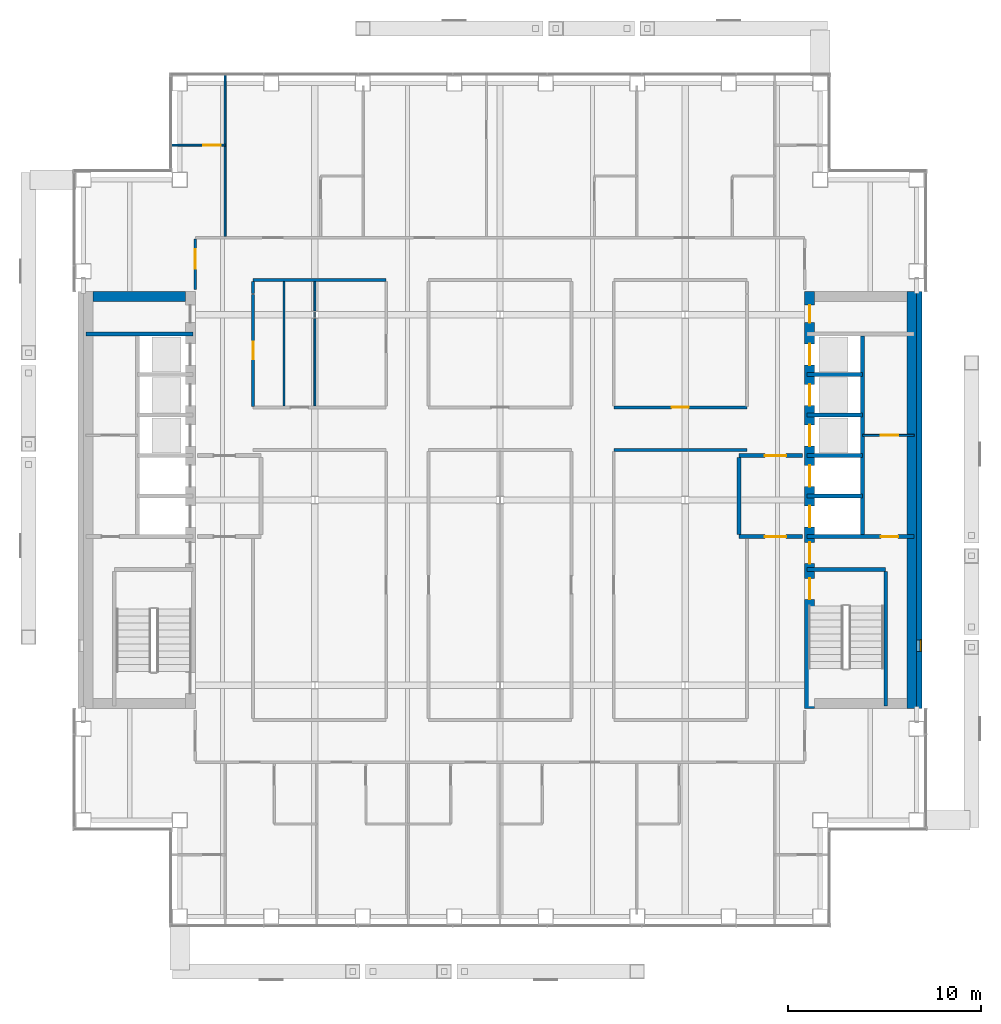
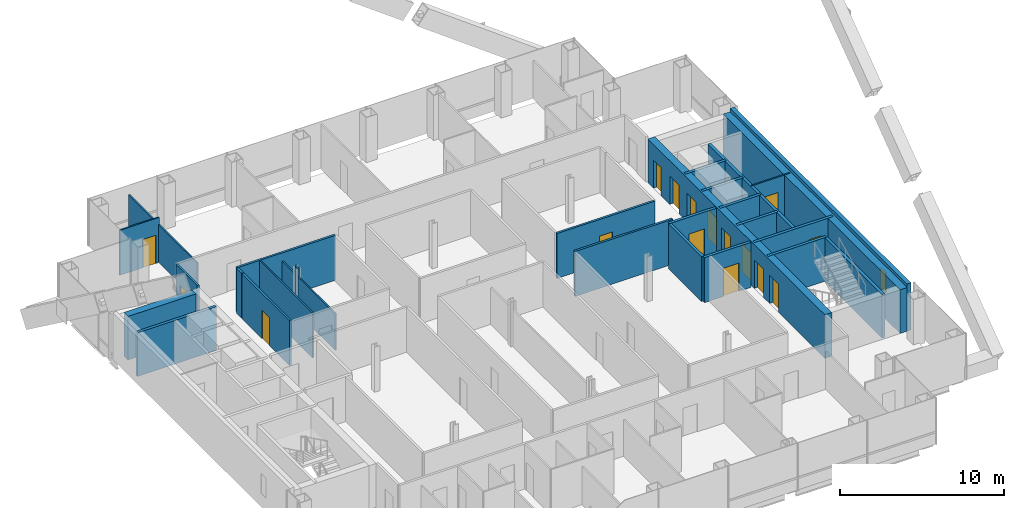
# One storey, part 14 of 17: 29 walls, 16 doors, 1 window, 17 openings.
"""IFC4 building model written with IfcOpenShell, lengths in metres."""

from ifc_helpers import new_model, si_unit, direction, frame, frame_2d, origin, place, context, subcontext, project, spatial, rectangle, extrude, material, layer, layer_set, type_object, element, fill, save


model = new_model("IFC4")

# Units and contexts
model_context = context("Model", 3, precision=1e-05, world=origin(), true_north=direction((0.0, 1.0)))
body_context = subcontext(model_context, "Body", "Model", "MODEL_VIEW")
ifc_project = project(units=[si_unit("LENGTHUNIT", "METRE"), si_unit("AREAUNIT", "SQUARE_METRE"), si_unit("VOLUMEUNIT", "CUBIC_METRE"), si_unit("PLANEANGLEUNIT", "RADIAN"), si_unit("MASSUNIT", "GRAM", prefix="KILO")], contexts=[model_context])

# Site, building, storey
site_placement = place(None, origin())
site = spatial("IfcSite", under=ifc_project, at=site_placement, CompositionType="ELEMENT")
building_placement = place(site_placement, origin())
building = spatial("IfcBuilding", under=site, at=building_placement, Name="Cobrizo Arcos Hotel Tower", CompositionType="ELEMENT")
storey_placement = place(building_placement, frame((0.0, 0.0, 151.5)))
storey = spatial("IfcBuildingStorey", under=building, at=storey_placement, Name="L38", CompositionType="ELEMENT", Elevation=151.5)

# Wall
ifc_material_1 = material(Name="Gypsum board partition")
ifc_layer_1 = layer(ifc_material_1, 0.14990234375)
ifc_layer_set_1 = layer_set([ifc_layer_1], Name="Corridor wall EI 60 150")
wall_type_1 = type_object("IfcWallType", Name="Corridor wall EI 60 150", PredefinedType="PARTITIONING", material=ifc_layer_set_1)
wall_1_placement = place(storey_placement, frame((5.89990234375, 2.60009765625, 0.0), z_axis=(0.0, 0.0, 1.0), x_axis=(1.0, 0.0, 0.0)))
element("IfcWall", 1, at=wall_1_placement, inside=storey, type_object=wall_type_1, Name="Partition 025", PredefinedType="PARTITIONING", context=body_context, shape_type="SweptSolid", body=[
    extrude(rectangle(XDim=6.900146484375, YDim=0.14990234375, at=frame_2d((3.4501953125, 0.0))), origin(), (0.0, 0.0, 1.0), 3.35009765625),
])

# Wall, opening, door
wall_2_placement = place(storey_placement, frame((5.89990234375, 4.800048828125, 0.0), z_axis=(0.0, 0.0, 1.0), x_axis=(1.0, 0.0, 0.0)))
wall_2 = element("IfcWall", 2, at=wall_2_placement, inside=storey, type_object=wall_type_1, Name="Partition 032", PredefinedType="PARTITIONING", context=body_context, shape_type="SweptSolid", body=[
    extrude(rectangle(XDim=6.900146484375, YDim=0.14990234375, at=frame_2d((3.4501953125, 0.0))), origin(), (0.0, 0.0, 1.0), 3.35009765625),
])
opening_1_placement = place(wall_2_placement, frame((3.0, 0.0, 0.0)))
opening_1 = element("IfcOpeningElement", 3, at=opening_1_placement, cuts=wall_2, Name="Opening RD-09", PredefinedType="OPENING", context=body_context, shape_type="SweptSolid", body=[
    extrude(rectangle(XDim=0.89990234375, YDim=2.10009765625, at=frame_2d((0.449951171875, 1.050048828125))), frame((0.0, 0.0869140625, 0.0), z_axis=(0.0, -1.0, 0.0), x_axis=(1.0, 0.0, 0.0)), (0.0, 0.0, 1.0), 0.173828125),
])
ifc_material_2 = material(Name="Timber door leaf", Category="wood")
door_type_1 = type_object("IfcDoorType", Name="Room door FD30 900x2100", OperationType="SINGLE_SWING_LEFT", PredefinedType="DOOR", material=ifc_material_2)
door_1_placement = place(opening_1_placement, origin())
door_1 = element("IfcDoor", 4, at=door_1_placement, inside=storey, type_object=door_type_1, Name="Door RD-09", OperationType="SINGLE_SWING_LEFT", OverallHeight=2.10009765625, OverallWidth=0.89990234375, PredefinedType="DOOR", context=body_context, shape_type="SweptSolid", body=[
    extrude(rectangle(XDim=0.89990234375, YDim=2.10009765625, at=frame_2d((0.449951171875, 1.050048828125))), frame((0.0, 0.02490234375, 0.0), z_axis=(0.0, -1.0, 0.0), x_axis=(1.0, 0.0, 0.0)), (0.0, 0.0, 1.0), 0.050048828125),
])
fill(opening_1, door_1)

# Wall
wall_3_placement = place(storey_placement, frame((-12.800048828125, 11.39990234375, 0.0), z_axis=(0.0, 0.0, 1.0), x_axis=(1.0, 0.0, 0.0)))
element("IfcWall", 5, at=wall_3_placement, inside=storey, type_object=wall_type_1, Name="Partition 037", PredefinedType="PARTITIONING", context=body_context, shape_type="SweptSolid", body=[
    extrude(rectangle(XDim=6.900146484375, YDim=0.14990234375, at=frame_2d((3.4501953125, 0.0))), origin(), (0.0, 0.0, 1.0), 3.35009765625),
])

# Wall, opening, door
wall_4_placement = place(storey_placement, frame((-15.800048828125, 10.919921875, 0.0), z_axis=(0.0, 0.0, 1.0), x_axis=(0.0, 1.0, 0.0)))
wall_4 = element("IfcWall", 6, at=wall_4_placement, inside=storey, type_object=wall_type_1, Name="Partition 050", PredefinedType="PARTITIONING", context=body_context, shape_type="SweptSolid", body=[
    extrude(rectangle(XDim=2.60498046875, YDim=0.14990234375, at=frame_2d((1.302490234375, 0.0))), origin(), (0.0, 0.0, 1.0), 3.35009765625),
])
opening_2_placement = place(wall_4_placement, frame((1.080078125, 0.0, 0.0)))
opening_2 = element("IfcOpeningElement", 7, at=opening_2_placement, cuts=wall_4, Name="Opening GD-10", PredefinedType="OPENING", context=body_context, shape_type="SweptSolid", body=[
    extrude(rectangle(XDim=1.0, YDim=2.10009765625, at=frame_2d((0.5, 1.050048828125))), frame((0.0, 0.0869140625, 0.0), z_axis=(0.0, -1.0, 0.0), x_axis=(1.0, 0.0, 0.0)), (0.0, 0.0, 1.0), 0.173828125),
])
door_type_2 = type_object("IfcDoorType", Name="Guest room door FD30S 1000x2100", OperationType="SINGLE_SWING_LEFT", PredefinedType="DOOR", material=ifc_material_2)
door_2_placement = place(opening_2_placement, origin())
door_2 = element("IfcDoor", 8, at=door_2_placement, inside=storey, type_object=door_type_2, Name="Door GD-10", OperationType="SINGLE_SWING_RIGHT", OverallHeight=2.10009765625, OverallWidth=1.0, PredefinedType="DOOR", context=body_context, shape_type="SweptSolid", body=[
    extrude(rectangle(XDim=1.0, YDim=2.10009765625, at=frame_2d((0.5, 1.050048828125))), frame((0.0, 0.02490234375, 0.0), z_axis=(0.0, -1.0, 0.0), x_axis=(1.0, 0.0, 0.0)), (0.0, 0.0, 1.0), 0.050048828125),
])
fill(opening_2, door_2)

wall_5_placement = place(storey_placement, frame((-12.800048828125, 4.85009765625, 0.0), z_axis=(0.0, 0.0, 1.0), x_axis=(0.0, 1.0, 0.0)))
wall_5 = element("IfcWall", 9, at=wall_5_placement, inside=storey, type_object=wall_type_1, Name="Partition 054", PredefinedType="PARTITIONING", context=body_context, shape_type="SweptSolid", body=[
    extrude(rectangle(XDim=5.7998046875, YDim=0.14990234375, at=frame_2d((2.89990234375, 0.0))), origin(), (0.0, 0.0, 1.0), 3.35009765625),
])
opening_3_placement = place(wall_5_placement, frame((2.449951171875, 0.0, 0.0)))
opening_3 = element("IfcOpeningElement", 10, at=opening_3_placement, cuts=wall_5, Name="Opening ED-13", PredefinedType="OPENING", context=body_context, shape_type="SweptSolid", body=[
    extrude(rectangle(XDim=0.89990234375, YDim=2.10009765625, at=frame_2d((0.449951171875, 1.050048828125))), frame((0.0, 0.0869140625, 0.0), z_axis=(0.0, -1.0, 0.0), x_axis=(1.0, 0.0, 0.0)), (0.0, 0.0, 1.0), 0.173828125),
])
door_type_3 = type_object("IfcDoorType", Name="En-suite door 900x2100", OperationType="SINGLE_SWING_LEFT", PredefinedType="DOOR", material=ifc_material_2)
door_3_placement = place(opening_3_placement, origin())
door_3 = element("IfcDoor", 11, at=door_3_placement, inside=storey, type_object=door_type_3, Name="Door ED-13", OperationType="SINGLE_SWING_LEFT", OverallHeight=2.10009765625, OverallWidth=0.89990234375, PredefinedType="DOOR", context=body_context, shape_type="SweptSolid", body=[
    extrude(rectangle(XDim=0.89990234375, YDim=2.10009765625, at=frame_2d((0.449951171875, 1.050048828125))), frame((0.0, 0.02490234375, 0.0), z_axis=(0.0, -1.0, 0.0), x_axis=(1.0, 0.0, 0.0)), (0.0, 0.0, 1.0), 0.050048828125),
])
fill(opening_3, door_3)

# Wall
wall_6_placement = place(storey_placement, frame((-12.800048828125, 10.699951171875, 0.0), z_axis=(0.0, 0.0, 1.0), x_axis=(0.0, 1.0, 0.0)))
element("IfcWall", 12, at=wall_6_placement, inside=storey, type_object=wall_type_1, Name="Partition 055", PredefinedType="PARTITIONING", context=body_context, shape_type="SweptSolid", body=[
    extrude(rectangle(XDim=0.625, YDim=0.14990234375, at=frame_2d((0.3125, 0.0))), origin(), (0.0, 0.0, 1.0), 3.35009765625),
])

# Wall, opening, window
ifc_material_3 = material(Name="Aluminium composite panel pale metal", Category="aluminium")
ifc_layer_2 = layer(ifc_material_3, 0.27490234375)
ifc_layer_set_2 = layer_set([ifc_layer_2], Name="EW-1 insulated panel wall 275")
wall_type_2 = type_object("IfcWallType", Name="EW-1 insulated panel wall 275", PredefinedType="SOLIDWALL", material=ifc_layer_set_2)
wall_7_placement = place(storey_placement, frame((21.737548828125, -10.800048828125, 0.0), z_axis=(0.0, 0.0, 1.0), x_axis=(0.0, 1.0, 0.0)))
wall_7 = element("IfcWall", 13, at=wall_7_placement, inside=storey, type_object=wall_type_2, Name="Core face wall L38 E", PredefinedType="SOLIDWALL", context=body_context, shape_type="SweptSolid", body=[
    extrude(rectangle(XDim=21.60009765625, YDim=0.27490234375, at=frame_2d((10.800048828125, 0.0))), origin(), (0.0, 0.0, 1.0), 3.5),
])
opening_4_placement = place(wall_7_placement, frame((2.949951171875, 0.0, 1.0)))
opening_4 = element("IfcOpeningElement", 14, at=opening_4_placement, cuts=wall_7, Name="Opening W-83", PredefinedType="OPENING", context=body_context, shape_type="SweptSolid", body=[
    extrude(rectangle(XDim=0.60009765625, YDim=1.5, at=frame_2d((0.300048828125, 0.75))), frame((0.0, 0.1494140625, 0.0), z_axis=(0.0, -1.0, 0.0), x_axis=(1.0, 0.0, 0.0)), (0.0, 0.0, 1.0), 0.298828125),
])
ifc_material_4 = material(Name="Aluminium 6063-T6 and clear laminated glass", Category="aluminium")
window_type = type_object("IfcWindowType", Name="W-C1 core stair slot window 600x1500", PartitioningType="SINGLE_PANEL", PredefinedType="WINDOW", material=ifc_material_4)
window_placement = place(opening_4_placement, origin())
window = element("IfcWindow", 15, at=window_placement, inside=storey, type_object=window_type, Name="Core face wall L38 E window W-83", OverallHeight=1.5, OverallWidth=0.60009765625, PartitioningType="SINGLE_PANEL", PredefinedType="WINDOW", context=body_context, shape_type="SweptSolid", body=[
    extrude(rectangle(XDim=0.60009765625, YDim=1.5, at=frame_2d((0.300048828125, 0.75))), frame((0.0, -0.04736328125, 0.0), z_axis=(0.0, -1.0, 0.0), x_axis=(1.0, 0.0, 0.0)), (0.0, 0.0, 1.0), 0.06005859375),
])
fill(opening_4, window)

# Wall, opening, door
ifc_layer_3 = layer(ifc_material_1, 0.10009765625)
ifc_layer_set_3 = layer_set([ifc_layer_3], Name="Partition EI 30 100")
wall_type_3 = type_object("IfcWallType", Name="Partition EI 30 100", PredefinedType="PARTITIONING", material=ifc_layer_set_3)
wall_8_placement = place(storey_placement, frame((18.800048828125, 3.35009765625, 0.0), z_axis=(0.0, 0.0, 1.0), x_axis=(1.0, 0.0, 0.0)))
wall_8 = element("IfcWall", 16, at=wall_8_placement, inside=storey, type_object=wall_type_3, Name="Partition 027", PredefinedType="PARTITIONING", context=body_context, shape_type="SweptSolid", body=[
    extrude(rectangle(XDim=2.679931640625, YDim=0.10009765625, at=frame_2d((1.33984375, 0.0))), origin(), (0.0, 0.0, 1.0), 3.25),
])
opening_5_placement = place(wall_8_placement, frame((0.949951171875, 0.0, 0.0)))
opening_5 = element("IfcOpeningElement", 17, at=opening_5_placement, cuts=wall_8, Name="Opening RD-06", PredefinedType="OPENING", context=body_context, shape_type="SweptSolid", body=[
    extrude(rectangle(XDim=0.89990234375, YDim=2.10009765625, at=frame_2d((0.449951171875, 1.050048828125))), frame((0.0, 0.06201171875, 0.0), z_axis=(0.0, -1.0, 0.0), x_axis=(1.0, 0.0, 0.0)), (0.0, 0.0, 1.0), 0.1240234375),
])
door_4_placement = place(opening_5_placement, origin())
door_4 = element("IfcDoor", 18, at=door_4_placement, inside=storey, type_object=door_type_1, Name="Door RD-06", OperationType="SINGLE_SWING_RIGHT", OverallHeight=2.10009765625, OverallWidth=0.89990234375, PredefinedType="DOOR", context=body_context, shape_type="SweptSolid", body=[
    extrude(rectangle(XDim=0.89990234375, YDim=2.10009765625, at=frame_2d((0.449951171875, 1.050048828125))), frame((0.0, 0.02490234375, 0.0), z_axis=(0.0, -1.0, 0.0), x_axis=(1.0, 0.0, 0.0)), (0.0, 0.0, 1.0), 0.050048828125),
])
fill(opening_5, door_4)

wall_9_placement = place(storey_placement, frame((-17.030029296875, 18.39990234375, 0.0), z_axis=(0.0, 0.0, 1.0), x_axis=(1.0, 0.0, 0.0)))
wall_9 = element("IfcWall", 19, at=wall_9_placement, inside=storey, type_object=wall_type_3, Name="Partition 044", PredefinedType="PARTITIONING", context=body_context, shape_type="SweptSolid", body=[
    extrude(rectangle(XDim=2.780029296875, YDim=0.10009765625, at=frame_2d((1.39013671875, 0.0))), origin(), (0.0, 0.0, 1.0), 3.35009765625),
])
opening_6_placement = place(wall_9_placement, frame((1.639892578125, 0.0, 0.0)))
opening_6 = element("IfcOpeningElement", 20, at=opening_6_placement, cuts=wall_9, Name="Opening ED-10", PredefinedType="OPENING", context=body_context, shape_type="SweptSolid", body=[
    extrude(rectangle(XDim=0.89990234375, YDim=2.10009765625, at=frame_2d((0.449951171875, 1.050048828125))), frame((0.0, 0.06201171875, 0.0), z_axis=(0.0, -1.0, 0.0), x_axis=(1.0, 0.0, 0.0)), (0.0, 0.0, 1.0), 0.1240234375),
])
door_5_placement = place(opening_6_placement, origin())
door_5 = element("IfcDoor", 21, at=door_5_placement, inside=storey, type_object=door_type_3, Name="Door ED-10", OperationType="SINGLE_SWING_RIGHT", OverallHeight=2.10009765625, OverallWidth=0.89990234375, PredefinedType="DOOR", context=body_context, shape_type="SweptSolid", body=[
    extrude(rectangle(XDim=0.89990234375, YDim=2.10009765625, at=frame_2d((0.449951171875, 1.050048828125))), frame((0.0, 0.02490234375, 0.0), z_axis=(0.0, -1.0, 0.0), x_axis=(1.0, 0.0, 0.0)), (0.0, 0.0, 1.0), 0.050048828125),
])
fill(opening_6, door_5)

# Walls
wall_10_placement = place(storey_placement, frame((-14.25, 13.675048828125, 0.0), z_axis=(0.0, 0.0, 1.0), x_axis=(0.0, 1.0, 0.0)))
element("IfcWall", 22, at=wall_10_placement, inside=storey, type_object=wall_type_3, Name="Partition 052", PredefinedType="PARTITIONING", context=body_context, shape_type="SweptSolid", body=[
    extrude(rectangle(XDim=8.35498046875, YDim=0.10009765625, at=frame_2d((4.177490234375, 0.0))), origin(), (0.0, 0.0, 1.0), 2.81689453125),
])
wall_11_placement = place(storey_placement, frame((-11.199951171875, 4.875, 0.0), z_axis=(0.0, 0.0, 1.0), x_axis=(0.0, 1.0, 0.0)))
element("IfcWall", 23, at=wall_11_placement, inside=storey, type_object=wall_type_3, Name="Partition 058", PredefinedType="PARTITIONING", context=body_context, shape_type="SweptSolid", body=[
    extrude(rectangle(XDim=6.449951171875, YDim=0.10009765625, at=frame_2d((3.22509765625, 0.0))), origin(), (0.0, 0.0, 1.0), 3.35009765625),
])
wall_12_placement = place(storey_placement, frame((-9.60009765625, 4.875, 0.0), z_axis=(0.0, 0.0, 1.0), x_axis=(0.0, 1.0, 0.0)))
element("IfcWall", 24, at=wall_12_placement, inside=storey, type_object=wall_type_3, Name="Partition 059", PredefinedType="PARTITIONING", context=body_context, shape_type="SweptSolid", body=[
    extrude(rectangle(XDim=4.5380859375, YDim=0.10009765625, at=frame_2d((2.26904296875, 0.0))), origin(), (0.0, 0.0, 1.0), 2.72802734375),
])
wall_13_placement = place(storey_placement, frame((-9.60009765625, 9.4130859375, 0.0), z_axis=(0.0, 0.0, 1.0), x_axis=(0.0, 1.0, 0.0)))
element("IfcWall", 25, at=wall_13_placement, inside=storey, type_object=wall_type_3, Name="Partition 060", PredefinedType="PARTITIONING", context=body_context, shape_type="SweptSolid", body=[
    extrude(rectangle(XDim=0.3740234375, YDim=0.10009765625, at=frame_2d((0.18701171875, 0.0))), origin(), (0.0, 0.0, 1.0), 3.35009765625),
])
wall_14_placement = place(storey_placement, frame((-9.60009765625, 9.787109375, 0.0), z_axis=(0.0, 0.0, 1.0), x_axis=(0.0, 1.0, 0.0)))
element("IfcWall", 26, at=wall_14_placement, inside=storey, type_object=wall_type_3, Name="Partition 061", PredefinedType="PARTITIONING", context=body_context, shape_type="SweptSolid", body=[
    extrude(rectangle(XDim=1.537841796875, YDim=0.10009765625, at=frame_2d((0.76904296875, 0.0))), origin(), (0.0, 0.0, 1.0), 2.72802734375),
])

# Wall, openings, doors
ifc_material_5 = material(Name="Concrete f'c 50 MPa", Category="concrete")
ifc_layer_4 = layer(ifc_material_5, 0.5)
ifc_layer_set_4 = layer_set([ifc_layer_4], Name="RC core wall 500 f'c 50")
wall_type_4 = type_object("IfcWallType", Name="RC core wall 500 f'c 50", PredefinedType="SHEAR", material=ifc_layer_set_4)
wall_15_placement = place(storey_placement, frame((16.050048828125, -10.800048828125, 0.0), z_axis=(0.0, 0.0, 1.0), x_axis=(0.0, 1.0, 0.0)))
wall_15 = element("IfcWall", 27, at=wall_15_placement, inside=storey, type_object=wall_type_4, Name="Core wall CW3, east core, inner face, L38", PredefinedType="SHEAR", context=body_context, shape_type="SweptSolid", body=[
    extrude(rectangle(XDim=21.60009765625, YDim=0.5, at=frame_2d((10.800048828125, 0.0))), origin(), (0.0, 0.0, 1.0), 3.25),
])
opening_7_placement = place(wall_15_placement, frame((9.39990234375, 0.0, 0.0)))
opening_7 = element("IfcOpeningElement", 28, at=opening_7_placement, cuts=wall_15, Name="Opening LD-06", PredefinedType="OPENING", context=body_context, shape_type="SweptSolid", body=[
    extrude(rectangle(XDim=1.10009765625, YDim=2.10009765625, at=frame_2d((0.550048828125, 1.050048828125))), frame((0.0, 0.261962890625, 0.0), z_axis=(0.0, -1.0, 0.0), x_axis=(1.0, 0.0, 0.0)), (0.0, 0.0, 1.0), 0.52392578125),
])
opening_8_placement = place(wall_15_placement, frame((11.5, 0.0, 0.0)))
opening_8 = element("IfcOpeningElement", 29, at=opening_8_placement, cuts=wall_15, Name="Opening LD-07", PredefinedType="OPENING", context=body_context, shape_type="SweptSolid", body=[
    extrude(rectangle(XDim=1.10009765625, YDim=2.10009765625, at=frame_2d((0.550048828125, 1.050048828125))), frame((0.0, 0.261962890625, 0.0), z_axis=(0.0, -1.0, 0.0), x_axis=(1.0, 0.0, 0.0)), (0.0, 0.0, 1.0), 0.52392578125),
])
opening_9_placement = place(wall_15_placement, frame((13.60009765625, 0.0, 0.0)))
opening_9 = element("IfcOpeningElement", 30, at=opening_9_placement, cuts=wall_15, Name="Opening LD-08", PredefinedType="OPENING", context=body_context, shape_type="SweptSolid", body=[
    extrude(rectangle(XDim=1.10009765625, YDim=2.10009765625, at=frame_2d((0.550048828125, 1.050048828125))), frame((0.0, 0.261962890625, 0.0), z_axis=(0.0, -1.0, 0.0), x_axis=(1.0, 0.0, 0.0)), (0.0, 0.0, 1.0), 0.52392578125),
])
opening_10_placement = place(wall_15_placement, frame((15.699951171875, 0.0, 0.0)))
opening_10 = element("IfcOpeningElement", 31, at=opening_10_placement, cuts=wall_15, Name="Opening LD-09", PredefinedType="OPENING", context=body_context, shape_type="SweptSolid", body=[
    extrude(rectangle(XDim=1.10009765625, YDim=2.10009765625, at=frame_2d((0.550048828125, 1.050048828125))), frame((0.0, 0.261962890625, 0.0), z_axis=(0.0, -1.0, 0.0), x_axis=(1.0, 0.0, 0.0)), (0.0, 0.0, 1.0), 0.52392578125),
])
opening_11_placement = place(wall_15_placement, frame((17.800048828125, 0.0, 0.0)))
opening_11 = element("IfcOpeningElement", 32, at=opening_11_placement, cuts=wall_15, Name="Opening LD-10", PredefinedType="OPENING", context=body_context, shape_type="SweptSolid", body=[
    extrude(rectangle(XDim=1.10009765625, YDim=2.10009765625, at=frame_2d((0.550048828125, 1.050048828125))), frame((0.0, 0.261962890625, 0.0), z_axis=(0.0, -1.0, 0.0), x_axis=(1.0, 0.0, 0.0)), (0.0, 0.0, 1.0), 0.52392578125),
])
opening_12_placement = place(wall_15_placement, frame((5.64208984375, 0.0, 0.0)))
opening_12 = element("IfcOpeningElement", 33, at=opening_12_placement, cuts=wall_15, Name="Opening SD-02", PredefinedType="OPENING", context=body_context, shape_type="SweptSolid", body=[
    extrude(rectangle(XDim=1.10009765625, YDim=2.10009765625, at=frame_2d((0.550048828125, 1.050048828125))), frame((0.0, 0.261962890625, 0.0), z_axis=(0.0, -1.0, 0.0), x_axis=(1.0, 0.0, 0.0)), (0.0, 0.0, 1.0), 0.52392578125),
])
opening_13_placement = place(wall_15_placement, frame((7.5, 0.0, 0.0)))
opening_13 = element("IfcOpeningElement", 34, at=opening_13_placement, cuts=wall_15, Name="Opening FD-04", PredefinedType="OPENING", context=body_context, shape_type="SweptSolid", body=[
    extrude(rectangle(XDim=1.10009765625, YDim=2.10009765625, at=frame_2d((0.550048828125, 1.050048828125))), frame((0.0, 0.261962890625, 0.0), z_axis=(0.0, -1.0, 0.0), x_axis=(1.0, 0.0, 0.0)), (0.0, 0.0, 1.0), 0.52392578125),
])
opening_14_placement = place(wall_15_placement, frame((20.0, 0.0, 0.0)))
opening_14 = element("IfcOpeningElement", 35, at=opening_14_placement, cuts=wall_15, Name="Opening RD-04", PredefinedType="OPENING", context=body_context, shape_type="SweptSolid", body=[
    extrude(rectangle(XDim=0.89990234375, YDim=2.10009765625, at=frame_2d((0.449951171875, 1.050048828125))), frame((0.0, 0.261962890625, 0.0), z_axis=(0.0, -1.0, 0.0), x_axis=(1.0, 0.0, 0.0)), (0.0, 0.0, 1.0), 0.52392578125),
])
ifc_material_6 = material(Name="Steel door leaf", Category="steel")
door_type_4 = type_object("IfcDoorType", Name="Fire door FD60 1100x2100", OperationType="SINGLE_SWING_LEFT", PredefinedType="DOOR", material=ifc_material_6)
door_6_placement = place(opening_13_placement, origin())
door_6 = element("IfcDoor", 36, at=door_6_placement, inside=storey, type_object=door_type_4, Name="Door FD-04", OperationType="SINGLE_SWING_RIGHT", OverallHeight=2.10009765625, OverallWidth=1.10009765625, PredefinedType="DOOR", context=body_context, shape_type="SweptSolid", body=[
    extrude(rectangle(XDim=1.10009765625, YDim=2.10009765625, at=frame_2d((0.550048828125, 1.050048828125))), frame((0.0, 0.02490234375, 0.0), z_axis=(0.0, -1.0, 0.0), x_axis=(1.0, 0.0, 0.0)), (0.0, 0.0, 1.0), 0.050048828125),
])
fill(opening_13, door_6)
door_type_5 = type_object("IfcDoorType", Name="Lift landing door 1100x2100", OperationType="SLIDING_TO_LEFT", PredefinedType="DOOR", material=ifc_material_6)
door_7_placement = place(opening_7_placement, origin())
door_7 = element("IfcDoor", 37, at=door_7_placement, inside=storey, type_object=door_type_5, Name="Lift landing door LD-06", OperationType="SLIDING_TO_LEFT", OverallHeight=2.10009765625, OverallWidth=1.10009765625, PredefinedType="DOOR", context=body_context, shape_type="SweptSolid", body=[
    extrude(rectangle(XDim=1.10009765625, YDim=2.10009765625, at=frame_2d((0.550048828125, 1.050048828125))), frame((0.0, 0.02490234375, 0.0), z_axis=(0.0, -1.0, 0.0), x_axis=(1.0, 0.0, 0.0)), (0.0, 0.0, 1.0), 0.050048828125),
])
fill(opening_7, door_7)
door_8_placement = place(opening_8_placement, origin())
door_8 = element("IfcDoor", 38, at=door_8_placement, inside=storey, type_object=door_type_5, Name="Lift landing door LD-07", OperationType="SLIDING_TO_LEFT", OverallHeight=2.10009765625, OverallWidth=1.10009765625, PredefinedType="DOOR", context=body_context, shape_type="SweptSolid", body=[
    extrude(rectangle(XDim=1.10009765625, YDim=2.10009765625, at=frame_2d((0.550048828125, 1.050048828125))), frame((0.0, 0.02490234375, 0.0), z_axis=(0.0, -1.0, 0.0), x_axis=(1.0, 0.0, 0.0)), (0.0, 0.0, 1.0), 0.050048828125),
])
fill(opening_8, door_8)
door_9_placement = place(opening_9_placement, origin())
door_9 = element("IfcDoor", 39, at=door_9_placement, inside=storey, type_object=door_type_5, Name="Lift landing door LD-08", OperationType="SLIDING_TO_LEFT", OverallHeight=2.10009765625, OverallWidth=1.10009765625, PredefinedType="DOOR", context=body_context, shape_type="SweptSolid", body=[
    extrude(rectangle(XDim=1.10009765625, YDim=2.10009765625, at=frame_2d((0.550048828125, 1.050048828125))), frame((0.0, 0.02490234375, 0.0), z_axis=(0.0, -1.0, 0.0), x_axis=(1.0, 0.0, 0.0)), (0.0, 0.0, 1.0), 0.050048828125),
])
fill(opening_9, door_9)
door_10_placement = place(opening_10_placement, origin())
door_10 = element("IfcDoor", 40, at=door_10_placement, inside=storey, type_object=door_type_5, Name="Lift landing door LD-09", OperationType="SLIDING_TO_LEFT", OverallHeight=2.10009765625, OverallWidth=1.10009765625, PredefinedType="DOOR", context=body_context, shape_type="SweptSolid", body=[
    extrude(rectangle(XDim=1.10009765625, YDim=2.10009765625, at=frame_2d((0.550048828125, 1.050048828125))), frame((0.0, 0.02490234375, 0.0), z_axis=(0.0, -1.0, 0.0), x_axis=(1.0, 0.0, 0.0)), (0.0, 0.0, 1.0), 0.050048828125),
])
fill(opening_10, door_10)
door_11_placement = place(opening_11_placement, origin())
door_11 = element("IfcDoor", 41, at=door_11_placement, inside=storey, type_object=door_type_5, Name="Lift landing door LD-10", OperationType="SLIDING_TO_LEFT", OverallHeight=2.10009765625, OverallWidth=1.10009765625, PredefinedType="DOOR", context=body_context, shape_type="SweptSolid", body=[
    extrude(rectangle(XDim=1.10009765625, YDim=2.10009765625, at=frame_2d((0.550048828125, 1.050048828125))), frame((0.0, 0.02490234375, 0.0), z_axis=(0.0, -1.0, 0.0), x_axis=(1.0, 0.0, 0.0)), (0.0, 0.0, 1.0), 0.050048828125),
])
fill(opening_11, door_11)
door_12_placement = place(opening_14_placement, origin())
door_12 = element("IfcDoor", 42, at=door_12_placement, inside=storey, type_object=door_type_1, Name="Door RD-04", OperationType="SINGLE_SWING_LEFT", OverallHeight=2.10009765625, OverallWidth=0.89990234375, PredefinedType="DOOR", context=body_context, shape_type="SweptSolid", body=[
    extrude(rectangle(XDim=0.89990234375, YDim=2.10009765625, at=frame_2d((0.449951171875, 1.050048828125))), frame((0.0, 0.02490234375, 0.0), z_axis=(0.0, -1.0, 0.0), x_axis=(1.0, 0.0, 0.0)), (0.0, 0.0, 1.0), 0.050048828125),
])
fill(opening_14, door_12)
door_type_6 = type_object("IfcDoorType", Name="Stair door FD60S 1100x2100", OperationType="SINGLE_SWING_LEFT", PredefinedType="DOOR", material=ifc_material_6)
door_13_placement = place(opening_12_placement, origin())
door_13 = element("IfcDoor", 43, at=door_13_placement, inside=storey, type_object=door_type_6, Name="Door SD-02", OperationType="SINGLE_SWING_RIGHT", OverallHeight=2.10009765625, OverallWidth=1.10009765625, PredefinedType="DOOR", context=body_context, shape_type="SweptSolid", body=[
    extrude(rectangle(XDim=1.10009765625, YDim=2.10009765625, at=frame_2d((0.550048828125, 1.050048828125))), frame((0.0, 0.02490234375, 0.0), z_axis=(0.0, -1.0, 0.0), x_axis=(1.0, 0.0, 0.0)), (0.0, 0.0, 1.0), 0.050048828125),
])
fill(opening_12, door_13)

# Walls
wall_16_placement = place(storey_placement, frame((21.35009765625, -10.800048828125, 0.0), z_axis=(0.0, 0.0, 1.0), x_axis=(0.0, 1.0, 0.0)))
element("IfcWall", 44, at=wall_16_placement, inside=storey, type_object=wall_type_4, Name="Core wall CW3, east core, outer face, L38", PredefinedType="SHEAR", context=body_context, shape_type="SweptSolid", body=[
    extrude(rectangle(XDim=21.60009765625, YDim=0.5, at=frame_2d((10.800048828125, 0.0))), origin(), (0.0, 0.0, 1.0), 3.25),
])
wall_17_placement = place(storey_placement, frame((-21.10009765625, 10.550048828125, 0.0), z_axis=(0.0, 0.0, 1.0), x_axis=(1.0, 0.0, 0.0)))
element("IfcWall", 45, at=wall_17_placement, inside=storey, type_object=wall_type_4, Name="Core wall CW3, west core, north end, L38", PredefinedType="SHEAR", context=body_context, shape_type="SweptSolid", body=[
    extrude(rectangle(XDim=4.800048828125, YDim=0.5, at=frame_2d((2.39990234375, 0.0))), origin(), (0.0, 0.0, 1.0), 3.25),
])

# Wall, opening, door
ifc_layer_5 = layer(ifc_material_1, 0.199951171875)
ifc_layer_set_5 = layer_set([ifc_layer_5], Name="Shaft wall EI 120 200")
wall_type_5 = type_object("IfcWallType", Name="Shaft wall EI 120 200", PredefinedType="PARTITIONING", material=ifc_layer_set_5)
wall_18_placement = place(storey_placement, frame((12.39990234375, -1.89990234375, 0.0), z_axis=(0.0, 0.0, 1.0), x_axis=(1.0, 0.0, 0.0)))
wall_18 = element("IfcWall", 46, at=wall_18_placement, inside=storey, type_object=wall_type_5, Name="Partition 015", PredefinedType="PARTITIONING", context=body_context, shape_type="SweptSolid", body=[
    extrude(rectangle(XDim=3.280029296875, YDim=0.199951171875, at=frame_2d((1.64013671875, 0.0))), origin(), (0.0, 0.0, 1.0), 3.35009765625),
])
opening_15_placement = place(wall_18_placement, frame((1.340087890625, 0.0, 0.0)))
opening_15 = element("IfcOpeningElement", 47, at=opening_15_placement, cuts=wall_18, Name="Opening FD-06", PredefinedType="OPENING", context=body_context, shape_type="SweptSolid", body=[
    extrude(rectangle(XDim=1.10009765625, YDim=2.10009765625, at=frame_2d((0.550048828125, 1.050048828125))), frame((0.0, 0.112060546875, 0.0), z_axis=(0.0, -1.0, 0.0), x_axis=(1.0, 0.0, 0.0)), (0.0, 0.0, 1.0), 0.223876953125),
])
door_14_placement = place(opening_15_placement, origin())
door_14 = element("IfcDoor", 48, at=door_14_placement, inside=storey, type_object=door_type_4, Name="Door FD-06", OperationType="SINGLE_SWING_RIGHT", OverallHeight=2.10009765625, OverallWidth=1.10009765625, PredefinedType="DOOR", context=body_context, shape_type="SweptSolid", body=[
    extrude(rectangle(XDim=1.10009765625, YDim=2.10009765625, at=frame_2d((0.550048828125, 1.050048828125))), frame((0.0, 0.02490234375, 0.0), z_axis=(0.0, -1.0, 0.0), x_axis=(1.0, 0.0, 0.0)), (0.0, 0.0, 1.0), 0.050048828125),
])
fill(opening_15, door_14)

wall_19_placement = place(storey_placement, frame((15.919921875, -1.89990234375, 0.0), z_axis=(0.0, 0.0, 1.0), x_axis=(1.0, 0.0, 0.0)))
wall_19 = element("IfcWall", 49, at=wall_19_placement, inside=storey, type_object=wall_type_5, Name="Partition 016", PredefinedType="PARTITIONING", context=body_context, shape_type="SweptSolid", body=[
    extrude(rectangle(XDim=5.56005859375, YDim=0.199951171875, at=frame_2d((2.780029296875, 0.0))), origin(), (0.0, 0.0, 1.0), 3.25),
])
opening_16_placement = place(wall_19_placement, frame((3.830078125, 0.0, 0.0)))
opening_16 = element("IfcOpeningElement", 50, at=opening_16_placement, cuts=wall_19, Name="Opening RD-05", PredefinedType="OPENING", context=body_context, shape_type="SweptSolid", body=[
    extrude(rectangle(XDim=0.89990234375, YDim=2.10009765625, at=frame_2d((0.449951171875, 1.050048828125))), frame((0.0, 0.112060546875, 0.0), z_axis=(0.0, -1.0, 0.0), x_axis=(1.0, 0.0, 0.0)), (0.0, 0.0, 1.0), 0.223876953125),
])
door_15_placement = place(opening_16_placement, origin())
door_15 = element("IfcDoor", 51, at=door_15_placement, inside=storey, type_object=door_type_1, Name="Door RD-05", OperationType="SINGLE_SWING_LEFT", OverallHeight=2.10009765625, OverallWidth=0.89990234375, PredefinedType="DOOR", context=body_context, shape_type="SweptSolid", body=[
    extrude(rectangle(XDim=0.89990234375, YDim=2.10009765625, at=frame_2d((0.449951171875, 1.050048828125))), frame((0.0, 0.02490234375, 0.0), z_axis=(0.0, -1.0, 0.0), x_axis=(1.0, 0.0, 0.0)), (0.0, 0.0, 1.0), 0.050048828125),
])
fill(opening_16, door_15)

# Wall
wall_20_placement = place(storey_placement, frame((15.919921875, 0.199951171875, 0.0), z_axis=(0.0, 0.0, 1.0), x_axis=(1.0, 0.0, 0.0)))
element("IfcWall", 52, at=wall_20_placement, inside=storey, type_object=wall_type_5, Name="Partition 018", PredefinedType="PARTITIONING", context=body_context, shape_type="SweptSolid", body=[
    extrude(rectangle(XDim=2.880126953125, YDim=0.199951171875, at=frame_2d((1.43994140625, 0.0))), origin(), (0.0, 0.0, 1.0), 3.25),
])

# Wall, opening, door
wall_21_placement = place(storey_placement, frame((12.39990234375, 2.300048828125, 0.0), z_axis=(0.0, 0.0, 1.0), x_axis=(1.0, 0.0, 0.0)))
wall_21 = element("IfcWall", 53, at=wall_21_placement, inside=storey, type_object=wall_type_5, Name="Partition 021", PredefinedType="PARTITIONING", context=body_context, shape_type="SweptSolid", body=[
    extrude(rectangle(XDim=3.280029296875, YDim=0.199951171875, at=frame_2d((1.64013671875, 0.0))), origin(), (0.0, 0.0, 1.0), 3.35009765625),
])
opening_17_placement = place(wall_21_placement, frame((1.340087890625, 0.0, 0.0)))
opening_17 = element("IfcOpeningElement", 54, at=opening_17_placement, cuts=wall_21, Name="Opening FD-05", PredefinedType="OPENING", context=body_context, shape_type="SweptSolid", body=[
    extrude(rectangle(XDim=1.10009765625, YDim=2.10009765625, at=frame_2d((0.550048828125, 1.050048828125))), frame((0.0, 0.112060546875, 0.0), z_axis=(0.0, -1.0, 0.0), x_axis=(1.0, 0.0, 0.0)), (0.0, 0.0, 1.0), 0.223876953125),
])
door_16_placement = place(opening_17_placement, origin())
door_16 = element("IfcDoor", 55, at=door_16_placement, inside=storey, type_object=door_type_4, Name="Door FD-05", OperationType="SINGLE_SWING_RIGHT", OverallHeight=2.10009765625, OverallWidth=1.10009765625, PredefinedType="DOOR", context=body_context, shape_type="SweptSolid", body=[
    extrude(rectangle(XDim=1.10009765625, YDim=2.10009765625, at=frame_2d((0.550048828125, 1.050048828125))), frame((0.0, 0.02490234375, 0.0), z_axis=(0.0, -1.0, 0.0), x_axis=(1.0, 0.0, 0.0)), (0.0, 0.0, 1.0), 0.050048828125),
])
fill(opening_17, door_16)

# Walls
for number, where, z_axis, x_axis, name in (
    (56, (15.919921875, 2.300048828125, 0.0), (0.0, 0.0, 1.0), (1.0, 0.0, 0.0), "Partition 022"),
    (57, (15.919921875, 4.39990234375, 0.0), (0.0, 0.0, 1.0), (1.0, 0.0, 0.0), "Partition 029"),
    (58, (15.919921875, 6.5, 0.0), (0.0, 0.0, 1.0), (1.0, 0.0, 0.0), "Partition 034"),
):
    element("IfcWall", number, at=place(storey_placement, frame(where, z_axis=z_axis, x_axis=x_axis)), inside=storey, type_object=wall_type_5, Name=name, PredefinedType="PARTITIONING", context=body_context, shape_type="SweptSolid", body=[
        extrude(rectangle(XDim=2.880126953125, YDim=0.199951171875, at=frame_2d((1.43994140625, 0.0))), origin(), (0.0, 0.0, 1.0), 3.25),
    ])
wall_22_placement = place(storey_placement, frame((-21.47998046875, 8.60009765625, 0.0), z_axis=(0.0, 0.0, 1.0), x_axis=(1.0, 0.0, 0.0)))
element("IfcWall", 59, at=wall_22_placement, inside=storey, type_object=wall_type_5, Name="Partition 035", PredefinedType="PARTITIONING", context=body_context, shape_type="SweptSolid", body=[
    extrude(rectangle(XDim=5.56005859375, YDim=0.199951171875, at=frame_2d((2.780029296875, 0.0))), origin(), (0.0, 0.0, 1.0), 3.25),
])
wall_23_placement = place(storey_placement, frame((12.39990234375, -1.800048828125, 0.0), z_axis=(0.0, 0.0, 1.0), x_axis=(0.0, 1.0, 0.0)))
element("IfcWall", 60, at=wall_23_placement, inside=storey, type_object=wall_type_5, Name="Partition 090", PredefinedType="PARTITIONING", context=body_context, shape_type="SweptSolid", body=[
    extrude(rectangle(XDim=4.0, YDim=0.199951171875, at=frame_2d((2.0, 0.0))), origin(), (0.0, 0.0, 1.0), 3.35009765625),
])
wall_24_placement = place(storey_placement, frame((18.800048828125, -1.800048828125, 0.0), z_axis=(0.0, 0.0, 1.0), x_axis=(0.0, 1.0, 0.0)))
element("IfcWall", 61, at=wall_24_placement, inside=storey, type_object=wall_type_5, Name="Partition 098", PredefinedType="PARTITIONING", context=body_context, shape_type="SweptSolid", body=[
    extrude(rectangle(XDim=10.300048828125, YDim=0.199951171875, at=frame_2d((5.14990234375, 0.0))), origin(), (0.0, 0.0, 1.0), 3.25),
])
ifc_material_7 = material(Name="Concrete f'c 40 MPa", Category="concrete")
ifc_layer_6 = layer(ifc_material_7, 0.199951171875)
ifc_layer_set_6 = layer_set([ifc_layer_6], Name="Stair shaft wall 200")
wall_type_6 = type_object("IfcWallType", Name="Stair shaft wall 200", PredefinedType="SHEAR", material=ifc_layer_set_6)
wall_25_placement = place(storey_placement, frame((15.919921875, -3.60009765625, 0.0), z_axis=(0.0, 0.0, 1.0), x_axis=(1.0, 0.0, 0.0)))
element("IfcWall", 62, at=wall_25_placement, inside=storey, type_object=wall_type_6, Name="Stair shaft wall E", PredefinedType="SHEAR", context=body_context, shape_type="SweptSolid", body=[
    extrude(rectangle(XDim=4.080078125, YDim=0.199951171875, at=frame_2d((2.0400390625, 0.0))), origin(), (0.0, 0.0, 1.0), 3.25),
])
wall_26_placement = place(storey_placement, frame((20.0, -10.679931640625, 0.0), z_axis=(0.0, 0.0, 1.0), x_axis=(0.0, 1.0, 0.0)))
element("IfcWall", 63, at=wall_26_placement, inside=storey, type_object=wall_type_6, Name="Stair shaft wall E", PredefinedType="SHEAR", context=body_context, shape_type="SweptSolid", body=[
    extrude(rectangle(XDim=6.97998046875, YDim=0.199951171875, at=frame_2d((3.489990234375, 0.0))), origin(), (0.0, 0.0, 1.0), 3.25),
])

save(model, "model.ifc")
